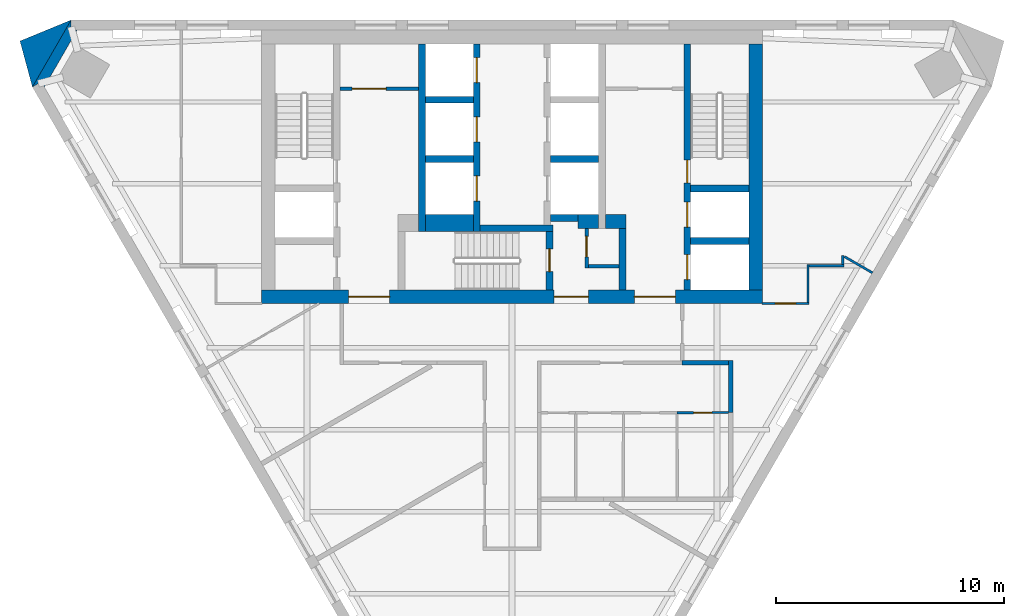
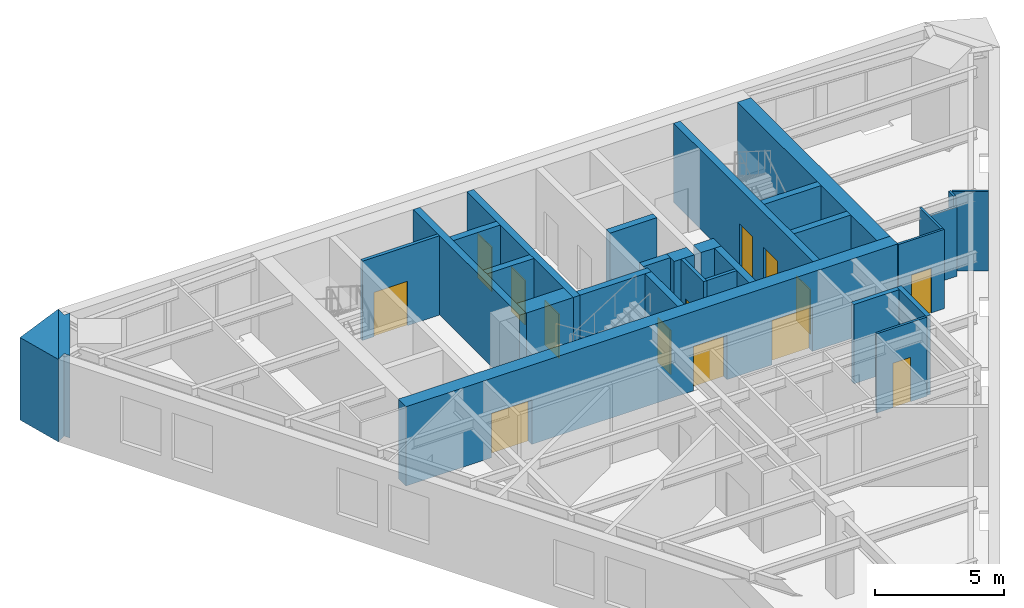
# One storey, part 4 of 7: 30 walls, 14 doors, 14 openings.
"""IFC4 building model written with IfcOpenShell, lengths in metres."""

import ifcopenshell
import ifcopenshell.guid

model = None  # the IFC model being written
_history = None  # IfcOwnerHistory: only IFC2X3 demands one
_inside = {}  # id of a spatial element -> (the spatial element, [elements in it])
_under = {}  # id of a project, library or spatial element -> (it, [spatial elements below it])
_declared = {}  # id of a project -> (the project, [libraries it declares])
_typed = {}  # id of a type object -> (the type object, [elements of that type])
_made_of = {}  # id of a material, layer set ... -> (it, [elements and type objects made of it])


def new_model(schema):
    """Start an empty IFC model of exactly this schema.

    Asked for "IFC4X3", IfcOpenShell would pick the latest addendum, in which some entities
    have other attributes; the version numbers below select the first issue.
    IFC2X3 requires an IfcOwnerHistory on every rooted entity: one is made here for all.
    """
    global model, _history
    if schema == "IFC4X3":
        model = ifcopenshell.file(schema_version=(4, 3, 0, 0))
    else:
        model = ifcopenshell.file(schema=schema)
    _inside.clear()
    _under.clear()
    _declared.clear()
    _typed.clear()
    _made_of.clear()
    _history = None
    if model.schema == "IFC2X3":
        org = make("IfcOrganization", Name="unknown")
        user = make(
            "IfcPersonAndOrganization",
            ThePerson=make("IfcPerson", FamilyName="unknown"),
            TheOrganization=org,
        )
        app = make(
            "IfcApplication",
            ApplicationDeveloper=org,
            Version="unknown",
            ApplicationFullName="unknown",
            ApplicationIdentifier="unknown",
        )
        _history = make(
            "IfcOwnerHistory",
            OwningUser=user,
            OwningApplication=app,
            ChangeAction="ADDED",
            CreationDate=0,
        )
    return model


def make(cls, **values):
    """One entity of the class cls with the attributes given. An attribute that is None is left unset."""
    return model.create_entity(
        cls, **{name: value for name, value in values.items() if value is not None}
    )


def rooted(cls, **values):
    """An entity with a GlobalId (a new one), such as an element, a storey or a relation."""
    return make(cls, GlobalId=ifcopenshell.guid.new(), OwnerHistory=_history, **values)


def si_unit(unit_type, name, prefix=None):
    """IfcSIUnit, for example si_unit("LENGTHUNIT", "METRE", prefix="MILLI")."""
    return make("IfcSIUnit", UnitType=unit_type, Prefix=prefix, Name=name)


def assignment(units):
    """IfcUnitAssignment: the units of a project."""
    return None if units is None else make("IfcUnitAssignment", Units=units)


def point(xyz):
    """IfcCartesianPoint."""
    return None if xyz is None else make("IfcCartesianPoint", Coordinates=xyz)


def direction(xyz):
    """IfcDirection."""
    return None if xyz is None else make("IfcDirection", DirectionRatios=xyz)


def frame(location, z_axis=None, x_axis=None):
    """IfcAxis2Placement3D, a coordinate frame: its origin and axes. An axis left out is left unset."""
    return make(
        "IfcAxis2Placement3D",
        Location=point(location),
        Axis=direction(z_axis),
        RefDirection=direction(x_axis),
    )


def frame_2d(location, x_axis=None):
    """IfcAxis2Placement2D, a coordinate frame in the plane: its origin and x axis."""
    return make(
        "IfcAxis2Placement2D", Location=point(location), RefDirection=direction(x_axis)
    )


def origin():
    """The frame at (0, 0, 0) with its axes left unset."""
    return frame((0.0, 0.0, 0.0))


def place(relative_to, where):
    """IfcLocalPlacement: puts the frame where relative to a parent placement (None: the world)."""
    return make(
        "IfcLocalPlacement", PlacementRelTo=relative_to, RelativePlacement=where
    )


def context(
    kind, dimensions, precision=None, world=None, true_north=None, identifier=None
):
    """IfcGeometricRepresentationContext, for example the 3D "Model" context."""
    return make(
        "IfcGeometricRepresentationContext",
        ContextIdentifier=identifier,
        ContextType=kind,
        CoordinateSpaceDimension=dimensions,
        Precision=precision,
        WorldCoordinateSystem=world,
        TrueNorth=true_north,
    )


def subcontext(parent, identifier, kind, view, scale=None):
    """IfcGeometricRepresentationSubContext, for example "Body" below "Model"."""
    return make(
        "IfcGeometricRepresentationSubContext",
        ContextIdentifier=identifier,
        ContextType=kind,
        ParentContext=parent,
        TargetScale=scale,
        TargetView=view,
    )


def project(units=None, contexts=None):
    """IfcProject with its units and contexts."""
    return rooted(
        "IfcProject",
        Name="project",
        RepresentationContexts=contexts,
        UnitsInContext=assignment(units),
    )


def spatial(cls, under=None, at=None, **own):
    """A site, building, storey or space (cls), placed at a placement, below another one or the project."""
    s = rooted(cls, ObjectPlacement=at, **own)
    if under is not None:
        _under.setdefault(under.id(), (under, []))[1].append(s)
    return s


def polyline(points):
    """IfcPolyline through the points."""
    return make("IfcPolyline", Points=[point(p) for p in points])


def profile(cls, at=None, kind="AREA", **sizes):
    """A parametric profile (cls). Its sizes go by their IFC names, for example OverallWidth=200.0."""
    return make(cls, ProfileType=kind, Position=at, **sizes)


def rectangle(**sizes):
    """IfcRectangleProfileDef."""
    return profile("IfcRectangleProfileDef", **sizes)


def outline(outer, holes=None, kind="AREA"):
    """IfcArbitraryClosedProfileDef: a profile drawn as a closed curve; with holes, ...WithVoids."""
    if holes is None:
        return make("IfcArbitraryClosedProfileDef", ProfileType=kind, OuterCurve=outer)
    return make(
        "IfcArbitraryProfileDefWithVoids",
        ProfileType=kind,
        OuterCurve=outer,
        InnerCurves=holes,
    )


def extrude(swept, where, along, depth):
    """IfcExtrudedAreaSolid: the profile swept, set in the frame where, extruded along a direction by depth."""
    return make(
        "IfcExtrudedAreaSolid",
        SweptArea=swept,
        Position=where,
        ExtrudedDirection=direction(along),
        Depth=depth,
    )


def shape(context_of_items, identifier, shape_type, items):
    """IfcShapeRepresentation: the items that make up one representation, for example the "Body"."""
    return make(
        "IfcShapeRepresentation",
        ContextOfItems=context_of_items,
        RepresentationIdentifier=identifier,
        RepresentationType=shape_type,
        Items=items,
    )


def material(Name=None, Category=None):
    """IfcMaterial."""
    return make("IfcMaterial", Name=Name, Category=Category)


def layer(
    of_material, thickness, ventilated=None, Name=None, Category=None, Priority=None
):
    """IfcMaterialLayer: one layer of a wall or slab, of a material (None: an air gap)."""
    return make(
        "IfcMaterialLayer",
        Material=of_material,
        LayerThickness=thickness,
        IsVentilated=ventilated,
        Name=Name,
        Category=Category,
        Priority=Priority,
    )


def layer_set(layers, Name=None):
    """IfcMaterialLayerSet."""
    return make("IfcMaterialLayerSet", MaterialLayers=layers, LayerSetName=Name)


def made_of(thing, what):
    """Note that an element or type object is made of a material, layer set ...; save() writes the relation."""
    if what is not None:
        _made_of.setdefault(what.id(), (what, []))[1].append(thing)
    return thing


def type_object(cls, material=None, **own):
    """A type object (cls), such as IfcWallType, which elements share."""
    return made_of(rooted(cls, **own), material)


def element(
    cls,
    number,
    at=None,
    inside=None,
    cuts=None,
    type_object=None,
    material=None,
    context=None,
    identifier="Body",
    shape_type=None,
    held_by="IfcProductDefinitionShape",
    body=None,
    shapes=None,
    **own,
):
    """One element of the class cls, such as IfcWall. Its Tag is "e" and its number.

    at: its placement. inside: the storey or other place that contains it. cuts: it is an
    opening in that element (IfcRelVoidsElement). A single representation is given by context,
    identifier, shape_type and body (its items); several are given by shapes. held_by: the class
    of the entity that holds the representations. save() writes the other relations.
    """
    e = rooted(cls, Tag="e%d" % number, ObjectPlacement=at, **own)
    if body is not None:
        shapes = [shape(context, identifier, shape_type, body)]
    if shapes is not None:
        e.Representation = make(held_by, Representations=shapes)
    if inside is not None:
        _inside.setdefault(inside.id(), (inside, []))[1].append(e)
    if cuts is not None:
        rooted(
            "IfcRelVoidsElement", RelatingBuildingElement=cuts, RelatedOpeningElement=e
        )
    if type_object is not None:
        _typed.setdefault(type_object.id(), (type_object, []))[1].append(e)
    return made_of(e, material)


def fill(opening, filler):
    """IfcRelFillsElement: the door or window that sits in an opening."""
    return rooted(
        "IfcRelFillsElement",
        RelatingOpeningElement=opening,
        RelatedBuildingElement=filler,
    )


def aggregate(whole, parts):
    """IfcRelAggregates: a whole, such as a stair, and the parts it consists of."""
    return rooted("IfcRelAggregates", RelatingObject=whole, RelatedObjects=parts)


def save(model, path):
    """Write the relations noted so far, then the file.

    IfcRelAggregates (storeys below a building ...), IfcRelContainedInSpatialStructure (elements
    in a storey), IfcRelDefinesByType, IfcRelAssociatesMaterial and IfcRelDeclares: one each for
    every whole, place, type object, material and project.
    """
    for whole, parts in _under.values():
        aggregate(whole, parts)
    for where, things in _inside.values():
        rooted(
            "IfcRelContainedInSpatialStructure",
            RelatedElements=things,
            RelatingStructure=where,
        )
    for kind, things in _typed.values():
        rooted("IfcRelDefinesByType", RelatedObjects=things, RelatingType=kind)
    for what, things in _made_of.values():
        rooted("IfcRelAssociatesMaterial", RelatedObjects=things, RelatingMaterial=what)
    for by, libraries in _declared.values():
        rooted("IfcRelDeclares", RelatingContext=by, RelatedDefinitions=libraries)
    model.write(path)


model = new_model("IFC4")

# Units and contexts
model_context = context("Model", 3, precision=1e-05, world=origin(), true_north=direction((0.0, 1.0)))
body_context = subcontext(model_context, "Body", "Model", "MODEL_VIEW")
ifc_project = project(units=[si_unit("LENGTHUNIT", "METRE"), si_unit("AREAUNIT", "SQUARE_METRE"), si_unit("VOLUMEUNIT", "CUBIC_METRE"), si_unit("PLANEANGLEUNIT", "RADIAN"), si_unit("MASSUNIT", "GRAM", prefix="KILO")], contexts=[model_context])

# Site, building, storey
site_placement = place(None, origin())
site = spatial("IfcSite", under=ifc_project, at=site_placement, CompositionType="ELEMENT")
building_placement = place(site_placement, origin())
building = spatial("IfcBuilding", under=site, at=building_placement, Name="Aloe Facet Convention Tower", CompositionType="ELEMENT")
storey_placement = place(building_placement, frame((0.0, 0.0, 207.5)))
storey = spatial("IfcBuildingStorey", under=building, at=storey_placement, Name="L52", CompositionType="ELEMENT", Elevation=207.5)

# Wall, opening, door
ifc_material_1 = material(Name="Concrete blockwork partition", Category="masonry")
ifc_layer_1 = layer(ifc_material_1, 0.14990234375)
ifc_layer_set_1 = layer_set([ifc_layer_1], Name="CR-W-PART150")
wall_type_1 = type_object("IfcWallType", Name="CR-W-PART150", PredefinedType="PARTITIONING", material=ifc_layer_set_1)
wall_1_placement = place(storey_placement, frame((72.449951171875, 131.97509765625, 0.0), z_axis=(0.0, 0.0, 1.0), x_axis=(1.0, 0.0, 0.0)))
wall_1 = element("IfcWall", 1, at=wall_1_placement, inside=storey, type_object=wall_type_1, Name="Core partition L52-007", PredefinedType="PARTITIONING", context=body_context, shape_type="SweptSolid", body=[
    extrude(rectangle(XDim=3.449951171875, YDim=0.14990234375, at=frame_2d((1.72509765625, 0.0))), origin(), (0.0, 0.0, 1.0), 3.75),
])
opening_1_placement = place(wall_1_placement, frame((0.52490234375, 0.0, 0.0)))
opening_1 = element("IfcOpeningElement", 2, at=opening_1_placement, cuts=wall_1, Name="Opening L52-CD14", PredefinedType="OPENING", context=body_context, shape_type="SweptSolid", body=[
    extrude(rectangle(XDim=1.5, YDim=2.10009765625, at=frame_2d((0.75, 1.050048828125))), frame((0.0, 0.0849609375, 0.0), z_axis=(0.0, -1.0, 0.0), x_axis=(1.0, 0.0, 0.0)), (0.0, 0.0, 1.0), 0.169921875),
])
ifc_material_2 = material(Name="Steel fire-resisting door set FD60", Category="steel")
door_type_1 = type_object("IfcDoorType", Name="CR-D-REFUGE-1500-FD60-DD", OperationType="DOUBLE_DOOR_DOUBLE_SWING", PredefinedType="DOOR", material=ifc_material_2)
door_1_placement = place(opening_1_placement, origin())
door_1 = element("IfcDoor", 3, at=door_1_placement, inside=storey, type_object=door_type_1, Name="Core door L52-CD14", OperationType="DOUBLE_DOOR_DOUBLE_SWING", OverallHeight=2.10009765625, OverallWidth=1.5, PredefinedType="DOOR", context=body_context, shape_type="SweptSolid", body=[
    extrude(rectangle(XDim=1.5, YDim=2.10009765625, at=frame_2d((0.75, 1.050048828125))), frame((0.0, 0.02490234375, 0.0), z_axis=(0.0, -1.0, 0.0), x_axis=(1.0, 0.0, 0.0)), (0.0, 0.0, 1.0), 0.050048828125),
])
fill(opening_1, door_1)

wall_2_placement = place(storey_placement, frame((83.27490234375, 125.85009765625, 0.0), z_axis=(0.0, 0.0, 1.0), x_axis=(0.0, -1.0, 0.0)))
wall_2 = element("IfcWall", 4, at=wall_2_placement, inside=storey, type_object=wall_type_1, Name="Core partition L52-022", PredefinedType="PARTITIONING", context=body_context, shape_type="SweptSolid", body=[
    extrude(rectangle(XDim=1.75, YDim=0.14990234375, at=frame_2d((0.875, 0.0))), origin(), (0.0, 0.0, 1.0), 3.75),
])
opening_2_placement = place(wall_2_placement, frame((0.35009765625, 0.0, 0.0)))
opening_2 = element("IfcOpeningElement", 5, at=opening_2_placement, cuts=wall_2, Name="Opening L52-CD12", PredefinedType="OPENING", context=body_context, shape_type="SweptSolid", body=[
    extrude(rectangle(XDim=0.89990234375, YDim=2.10009765625, at=frame_2d((0.449951171875, 1.050048828125))), frame((0.0, 0.0849609375, 0.0), z_axis=(0.0, -1.0, 0.0), x_axis=(1.0, 0.0, 0.0)), (0.0, 0.0, 1.0), 0.169921875),
])
ifc_material_3 = material(Name="Steel fire-resisting door set FD60", Category="steel")
door_type_2 = type_object("IfcDoorType", Name="CR-D-REFUGE-900-FD60-SRIGHT", OperationType="SINGLE_SWING_RIGHT", PredefinedType="DOOR", material=ifc_material_3)
door_2_placement = place(opening_2_placement, origin())
door_2 = element("IfcDoor", 6, at=door_2_placement, inside=storey, type_object=door_type_2, Name="Core door L52-CD12", OperationType="SINGLE_SWING_RIGHT", OverallHeight=2.10009765625, OverallWidth=0.89990234375, PredefinedType="DOOR", context=body_context, shape_type="SweptSolid", body=[
    extrude(rectangle(XDim=0.89990234375, YDim=2.10009765625, at=frame_2d((0.449951171875, 1.050048828125))), frame((0.0, 0.02490234375, 0.0), z_axis=(0.0, -1.0, 0.0), x_axis=(1.0, 0.0, 0.0)), (0.0, 0.0, 1.0), 0.050048828125),
])
fill(opening_2, door_2)

# Walls
wall_3_placement = place(storey_placement, frame((83.35009765625, 124.175048828125, 0.0), z_axis=(0.0, 0.0, 1.0), x_axis=(1.0, 0.0, 0.0)))
element("IfcWall", 7, at=wall_3_placement, inside=storey, type_object=wall_type_1, Name="Core partition L52-023", PredefinedType="PARTITIONING", context=body_context, shape_type="SweptSolid", body=[
    extrude(rectangle(XDim=1.349853515625, YDim=0.14990234375, at=frame_2d((0.6748046875, 0.0))), origin(), (0.0, 0.0, 1.0), 3.75),
])
ifc_material_4 = material(Name="Concrete C50/60", Category="concrete")
ifc_layer_2 = layer(ifc_material_4, 0.300048828125)
ifc_layer_set_2 = layer_set([ifc_layer_2], Name="CR-W-RC300-C5060")
wall_type_2 = type_object("IfcWallType", Name="CR-W-RC300-C5060", PredefinedType="SOLIDWALL", material=ifc_layer_set_2)
wall_4_placement = place(storey_placement, frame((76.050048828125, 133.949951171875, 0.0), z_axis=(0.0, 0.0, 1.0), x_axis=(0.0, -1.0, 0.0)))
element("IfcWall", 8, at=wall_4_placement, inside=storey, type_object=wall_type_2, Name="Core wall L52-010", PredefinedType="SOLIDWALL", context=body_context, shape_type="SweptSolid", body=[
    extrude(rectangle(XDim=8.25, YDim=0.300048828125, at=frame_2d((4.125, 0.0))), origin(), (0.0, 0.0, 1.0), 3.75),
])
for number, where, z_axis, x_axis, name in (
    (9, (76.199951171875, 131.5, 0.0), (0.0, 0.0, 1.0), (1.0, 0.0, 0.0), "Core wall L52-011"),
    (10, (76.199951171875, 128.89990234375, 0.0), (0.0, 0.0, 1.0), (1.0, 0.0, 0.0), "Core wall L52-012"),
):
    element("IfcWall", number, at=place(storey_placement, frame(where, z_axis=z_axis, x_axis=x_axis)), inside=storey, type_object=wall_type_2, Name=name, PredefinedType="SOLIDWALL", context=body_context, shape_type="SweptSolid", body=[
        extrude(rectangle(XDim=2.10009765625, YDim=0.300048828125, at=frame_2d((1.050048828125, 0.0))), origin(), (0.0, 0.0, 1.0), 3.75),
    ])

# Wall, openings, doors
wall_5_placement = place(storey_placement, frame((78.449951171875, 133.949951171875, 0.0), z_axis=(0.0, 0.0, 1.0), x_axis=(0.0, -1.0, 0.0)))
wall_5 = element("IfcWall", 11, at=wall_5_placement, inside=storey, type_object=wall_type_2, Name="Core wall L52-014", PredefinedType="SOLIDWALL", context=body_context, shape_type="SweptSolid", body=[
    extrude(rectangle(XDim=8.25, YDim=0.300048828125, at=frame_2d((4.125, 0.0))), origin(), (0.0, 0.0, 1.0), 3.75),
])
opening_3_placement = place(wall_5_placement, frame((0.60009765625, 0.0, 0.0)))
opening_3 = element("IfcOpeningElement", 12, at=opening_3_placement, cuts=wall_5, Name="Opening LD-B1-L52", PredefinedType="OPENING", context=body_context, shape_type="SweptSolid", body=[
    extrude(rectangle(XDim=1.10009765625, YDim=2.10009765625, at=frame_2d((0.550048828125, 1.050048828125))), frame((0.0, 0.16015625, 0.0), z_axis=(0.0, -1.0, 0.0), x_axis=(1.0, 0.0, 0.0)), (0.0, 0.0, 1.0), 0.320068359375),
])
opening_4_placement = place(wall_5_placement, frame((3.199951171875, 0.0, 0.0)))
opening_4 = element("IfcOpeningElement", 13, at=opening_4_placement, cuts=wall_5, Name="Opening LD-B2-L52", PredefinedType="OPENING", context=body_context, shape_type="SweptSolid", body=[
    extrude(rectangle(XDim=1.10009765625, YDim=2.10009765625, at=frame_2d((0.550048828125, 1.050048828125))), frame((0.0, 0.16015625, 0.0), z_axis=(0.0, -1.0, 0.0), x_axis=(1.0, 0.0, 0.0)), (0.0, 0.0, 1.0), 0.320068359375),
])
opening_5_placement = place(wall_5_placement, frame((5.800048828125, 0.0, 0.0)))
opening_5 = element("IfcOpeningElement", 14, at=opening_5_placement, cuts=wall_5, Name="Opening LD-B3-L52", PredefinedType="OPENING", context=body_context, shape_type="SweptSolid", body=[
    extrude(rectangle(XDim=1.10009765625, YDim=2.10009765625, at=frame_2d((0.550048828125, 1.050048828125))), frame((0.0, 0.16015625, 0.0), z_axis=(0.0, -1.0, 0.0), x_axis=(1.0, 0.0, 0.0)), (0.0, 0.0, 1.0), 0.320068359375),
])
ifc_material_5 = material(Name="Stainless steel sliding landing door", Category="steel")
door_type_3 = type_object("IfcDoorType", Name="CR-LD-1100-FD60-RIGHT", OperationType="SLIDING_TO_RIGHT", PredefinedType="DOOR", material=ifc_material_5)
door_3_placement = place(opening_3_placement, origin())
door_3 = element("IfcDoor", 15, at=door_3_placement, inside=storey, type_object=door_type_3, Name="Landing door B1 L52", OperationType="SLIDING_TO_RIGHT", OverallHeight=2.10009765625, OverallWidth=1.10009765625, PredefinedType="DOOR", context=body_context, shape_type="SweptSolid", body=[
    extrude(rectangle(XDim=1.10009765625, YDim=2.10009765625, at=frame_2d((0.550048828125, 1.050048828125))), frame((0.0, 0.02490234375, 0.0), z_axis=(0.0, -1.0, 0.0), x_axis=(1.0, 0.0, 0.0)), (0.0, 0.0, 1.0), 0.050048828125),
])
fill(opening_3, door_3)
door_4_placement = place(opening_4_placement, origin())
door_4 = element("IfcDoor", 16, at=door_4_placement, inside=storey, type_object=door_type_3, Name="Landing door B2 L52", OperationType="SLIDING_TO_RIGHT", OverallHeight=2.10009765625, OverallWidth=1.10009765625, PredefinedType="DOOR", context=body_context, shape_type="SweptSolid", body=[
    extrude(rectangle(XDim=1.10009765625, YDim=2.10009765625, at=frame_2d((0.550048828125, 1.050048828125))), frame((0.0, 0.02490234375, 0.0), z_axis=(0.0, -1.0, 0.0), x_axis=(1.0, 0.0, 0.0)), (0.0, 0.0, 1.0), 0.050048828125),
])
fill(opening_4, door_4)
door_5_placement = place(opening_5_placement, origin())
door_5 = element("IfcDoor", 17, at=door_5_placement, inside=storey, type_object=door_type_3, Name="Landing door B3 L52", OperationType="SLIDING_TO_RIGHT", OverallHeight=2.10009765625, OverallWidth=1.10009765625, PredefinedType="DOOR", context=body_context, shape_type="SweptSolid", body=[
    extrude(rectangle(XDim=1.10009765625, YDim=2.10009765625, at=frame_2d((0.550048828125, 1.050048828125))), frame((0.0, 0.02490234375, 0.0), z_axis=(0.0, -1.0, 0.0), x_axis=(1.0, 0.0, 0.0)), (0.0, 0.0, 1.0), 0.050048828125),
])
fill(opening_5, door_5)

# Wall
wall_6_placement = place(storey_placement, frame((78.60009765625, 125.85009765625, 0.0), z_axis=(0.0, 0.0, 1.0), x_axis=(1.0, 0.0, 0.0)))
element("IfcWall", 18, at=wall_6_placement, inside=storey, type_object=wall_type_2, Name="Core wall L52-015", PredefinedType="SOLIDWALL", context=body_context, shape_type="SweptSolid", body=[
    extrude(rectangle(XDim=3.199951171875, YDim=0.300048828125, at=frame_2d((1.60009765625, 0.0))), origin(), (0.0, 0.0, 1.0), 3.75),
])

# Wall, opening, door
wall_7_placement = place(storey_placement, frame((81.64990234375, 125.699951171875, 0.0), z_axis=(0.0, 0.0, 1.0), x_axis=(0.0, -1.0, 0.0)))
wall_7 = element("IfcWall", 19, at=wall_7_placement, inside=storey, type_object=wall_type_2, Name="Core wall L52-017", PredefinedType="SOLIDWALL", context=body_context, shape_type="SweptSolid", body=[
    extrude(rectangle(XDim=2.550048828125, YDim=0.300048828125, at=frame_2d((1.27490234375, 0.0))), origin(), (0.0, 0.0, 1.0), 3.75),
])
opening_6_placement = place(wall_7_placement, frame((0.75, 0.0, 0.0)))
opening_6 = element("IfcOpeningElement", 20, at=opening_6_placement, cuts=wall_7, Name="Opening L52-CD18", PredefinedType="OPENING", context=body_context, shape_type="SweptSolid", body=[
    extrude(rectangle(XDim=1.0, YDim=2.10009765625, at=frame_2d((0.5, 1.050048828125))), frame((0.0, 0.16015625, 0.0), z_axis=(0.0, -1.0, 0.0), x_axis=(1.0, 0.0, 0.0)), (0.0, 0.0, 1.0), 0.320068359375),
])
ifc_material_6 = material(Name="Steel fire-resisting door set FD120", Category="steel")
door_type_4 = type_object("IfcDoorType", Name="CR-D-STAIR-1000-FD120-SLEFT", OperationType="SINGLE_SWING_LEFT", PredefinedType="DOOR", material=ifc_material_6)
door_6_placement = place(opening_6_placement, origin())
door_6 = element("IfcDoor", 21, at=door_6_placement, inside=storey, type_object=door_type_4, Name="Core door L52-CD18", OperationType="SINGLE_SWING_LEFT", OverallHeight=2.10009765625, OverallWidth=1.0, PredefinedType="DOOR", context=body_context, shape_type="SweptSolid", body=[
    extrude(rectangle(XDim=1.0, YDim=2.10009765625, at=frame_2d((0.5, 1.050048828125))), frame((0.0, 0.02490234375, 0.0), z_axis=(0.0, -1.0, 0.0), x_axis=(1.0, 0.0, 0.0)), (0.0, 0.0, 1.0), 0.050048828125),
])
fill(opening_6, door_6)

# Walls
wall_8_placement = place(storey_placement, frame((81.699951171875, 128.89990234375, 0.0), z_axis=(0.0, 0.0, 1.0), x_axis=(1.0, 0.0, 0.0)))
element("IfcWall", 22, at=wall_8_placement, inside=storey, type_object=wall_type_2, Name="Core wall L52-019", PredefinedType="SOLIDWALL", context=body_context, shape_type="SweptSolid", body=[
    extrude(rectangle(XDim=2.10009765625, YDim=0.300048828125, at=frame_2d((1.050048828125, 0.0))), origin(), (0.0, 0.0, 1.0), 3.75),
])
wall_9_placement = place(storey_placement, frame((81.699951171875, 126.300048828125, 0.0), z_axis=(0.0, 0.0, 1.0), x_axis=(1.0, 0.0, 0.0)))
element("IfcWall", 23, at=wall_9_placement, inside=storey, type_object=wall_type_2, Name="Core wall L52-020", PredefinedType="SOLIDWALL", context=body_context, shape_type="SweptSolid", body=[
    extrude(rectangle(XDim=1.199951171875, YDim=0.300048828125, at=frame_2d((0.60009765625, 0.0))), origin(), (0.0, 0.0, 1.0), 3.75),
])
wall_10_placement = place(storey_placement, frame((84.85009765625, 125.85009765625, 0.0), z_axis=(0.0, 0.0, 1.0), x_axis=(0.0, -1.0, 0.0)))
element("IfcWall", 24, at=wall_10_placement, inside=storey, type_object=wall_type_2, Name="Core wall L52-027", PredefinedType="SOLIDWALL", context=body_context, shape_type="SweptSolid", body=[
    extrude(rectangle(XDim=2.7001953125, YDim=0.300048828125, at=frame_2d((1.35009765625, 0.0))), origin(), (0.0, 0.0, 1.0), 3.75),
])

# Wall, openings, doors
wall_11_placement = place(storey_placement, frame((87.699951171875, 133.949951171875, 0.0), z_axis=(0.0, 0.0, 1.0), x_axis=(0.0, -1.0, 0.0)))
wall_11 = element("IfcWall", 25, at=wall_11_placement, inside=storey, type_object=wall_type_2, Name="Core wall L52-028", PredefinedType="SOLIDWALL", context=body_context, shape_type="SweptSolid", body=[
    extrude(rectangle(XDim=10.800048828125, YDim=0.300048828125, at=frame_2d((5.39990234375, 0.0))), origin(), (0.0, 0.0, 1.0), 3.75),
])
opening_7_placement = place(wall_11_placement, frame((6.949951171875, 0.0, 0.0)))
opening_7 = element("IfcOpeningElement", 26, at=opening_7_placement, cuts=wall_11, Name="Opening LD-FF2-L52", PredefinedType="OPENING", context=body_context, shape_type="SweptSolid", body=[
    extrude(rectangle(XDim=1.10009765625, YDim=2.10009765625, at=frame_2d((0.550048828125, 1.050048828125))), frame((0.0, 0.16015625, 0.0), z_axis=(0.0, -1.0, 0.0), x_axis=(1.0, 0.0, 0.0)), (0.0, 0.0, 1.0), 0.320068359375),
])
opening_8_placement = place(wall_11_placement, frame((5.10009765625, 0.0, 0.0)))
opening_8 = element("IfcOpeningElement", 27, at=opening_8_placement, cuts=wall_11, Name="Opening L52-CD17", PredefinedType="OPENING", context=body_context, shape_type="SweptSolid", body=[
    extrude(rectangle(XDim=1.0, YDim=2.10009765625, at=frame_2d((0.5, 1.050048828125))), frame((0.0, 0.16015625, 0.0), z_axis=(0.0, -1.0, 0.0), x_axis=(1.0, 0.0, 0.0)), (0.0, 0.0, 1.0), 0.320068359375),
])
opening_9_placement = place(wall_11_placement, frame((9.25, 0.0, 0.0)))
opening_9 = element("IfcOpeningElement", 28, at=opening_9_placement, cuts=wall_11, Name="Opening LD-SV1-L52", PredefinedType="OPENING", context=body_context, shape_type="SweptSolid", body=[
    extrude(rectangle(XDim=1.10009765625, YDim=2.10009765625, at=frame_2d((0.550048828125, 1.050048828125))), frame((0.0, 0.16015625, 0.0), z_axis=(0.0, -1.0, 0.0), x_axis=(1.0, 0.0, 0.0)), (0.0, 0.0, 1.0), 0.320068359375),
])
door_7_placement = place(opening_8_placement, origin())
door_7 = element("IfcDoor", 29, at=door_7_placement, inside=storey, type_object=door_type_4, Name="Core door L52-CD17", OperationType="SINGLE_SWING_LEFT", OverallHeight=2.10009765625, OverallWidth=1.0, PredefinedType="DOOR", context=body_context, shape_type="SweptSolid", body=[
    extrude(rectangle(XDim=1.0, YDim=2.10009765625, at=frame_2d((0.5, 1.050048828125))), frame((0.0, 0.02490234375, 0.0), z_axis=(0.0, -1.0, 0.0), x_axis=(1.0, 0.0, 0.0)), (0.0, 0.0, 1.0), 0.050048828125),
])
fill(opening_8, door_7)
ifc_material_7 = material(Name="Stainless steel sliding landing door", Category="steel")
door_type_5 = type_object("IfcDoorType", Name="CR-LD-1100-FD120-_LEFT", OperationType="SLIDING_TO_LEFT", PredefinedType="DOOR", material=ifc_material_7)
door_8_placement = place(opening_7_placement, origin())
door_8 = element("IfcDoor", 30, at=door_8_placement, inside=storey, type_object=door_type_5, Name="Landing door FF2 L52", OperationType="SLIDING_TO_LEFT", OverallHeight=2.10009765625, OverallWidth=1.10009765625, PredefinedType="DOOR", context=body_context, shape_type="SweptSolid", body=[
    extrude(rectangle(XDim=1.10009765625, YDim=2.10009765625, at=frame_2d((0.550048828125, 1.050048828125))), frame((0.0, 0.02490234375, 0.0), z_axis=(0.0, -1.0, 0.0), x_axis=(1.0, 0.0, 0.0)), (0.0, 0.0, 1.0), 0.050048828125),
])
fill(opening_7, door_8)
door_9_placement = place(opening_9_placement, origin())
door_9 = element("IfcDoor", 31, at=door_9_placement, inside=storey, type_object=door_type_5, Name="Landing door SV1 L52", OperationType="SLIDING_TO_LEFT", OverallHeight=2.10009765625, OverallWidth=1.10009765625, PredefinedType="DOOR", context=body_context, shape_type="SweptSolid", body=[
    extrude(rectangle(XDim=1.10009765625, YDim=2.10009765625, at=frame_2d((0.550048828125, 1.050048828125))), frame((0.0, 0.02490234375, 0.0), z_axis=(0.0, -1.0, 0.0), x_axis=(1.0, 0.0, 0.0)), (0.0, 0.0, 1.0), 0.050048828125),
])
fill(opening_9, door_9)

# Walls
for number, where, z_axis, x_axis, name in (
    (32, (87.85009765625, 127.60009765625, 0.0), (0.0, 0.0, 1.0), (1.0, 0.0, 0.0), "Core wall L52-029"),
    (33, (87.85009765625, 125.300048828125, 0.0), (0.0, 0.0, 1.0), (1.0, 0.0, 0.0), "Core wall L52-030"),
):
    element("IfcWall", number, at=place(storey_placement, frame(where, z_axis=z_axis, x_axis=x_axis)), inside=storey, type_object=wall_type_2, Name=name, PredefinedType="SOLIDWALL", context=body_context, shape_type="SweptSolid", body=[
        extrude(rectangle(XDim=2.5498046875, YDim=0.300048828125, at=frame_2d((1.27490234375, 0.0))), origin(), (0.0, 0.0, 1.0), 3.75),
    ])

# Wall, openings, doors
ifc_material_8 = material(Name="Concrete C50/60", Category="concrete")
ifc_layer_3 = layer(ifc_material_8, 0.60009765625)
ifc_layer_set_3 = layer_set([ifc_layer_3], Name="CR-W-RC600-C5060")
wall_type_3 = type_object("IfcWallType", Name="CR-W-RC600-C5060", PredefinedType="SOLIDWALL", material=ifc_layer_set_3)
wall_12_placement = place(storey_placement, frame((69.0, 122.85009765625, 0.0), z_axis=(0.0, 0.0, 1.0), x_axis=(1.0, 0.0, 0.0)))
wall_12 = element("IfcWall", 34, at=wall_12_placement, inside=storey, type_object=wall_type_3, Name="Core wall L52-003", PredefinedType="SOLIDWALL", context=body_context, shape_type="SweptSolid", body=[
    extrude(rectangle(XDim=22.0, YDim=0.60009765625, at=frame_2d((11.0, 0.0))), origin(), (0.0, 0.0, 1.0), 3.75),
])
opening_10_placement = place(wall_12_placement, frame((16.375, 0.0, 0.0)))
opening_10 = element("IfcOpeningElement", 35, at=opening_10_placement, cuts=wall_12, Name="Opening L52-CD09", PredefinedType="OPENING", context=body_context, shape_type="SweptSolid", body=[
    extrude(rectangle(XDim=1.800048828125, YDim=2.10009765625, at=frame_2d((0.89990234375, 1.050048828125))), frame((0.0, 0.31005859375, 0.0), z_axis=(0.0, -1.0, 0.0), x_axis=(1.0, 0.0, 0.0)), (0.0, 0.0, 1.0), 0.6201171875),
])
opening_11_placement = place(wall_12_placement, frame((3.824951171875, 0.0, 0.0)))
opening_11 = element("IfcOpeningElement", 36, at=opening_11_placement, cuts=wall_12, Name="Opening L52-CD10", PredefinedType="OPENING", context=body_context, shape_type="SweptSolid", body=[
    extrude(rectangle(XDim=1.800048828125, YDim=2.10009765625, at=frame_2d((0.89990234375, 1.050048828125))), frame((0.0, 0.31005859375, 0.0), z_axis=(0.0, -1.0, 0.0), x_axis=(1.0, 0.0, 0.0)), (0.0, 0.0, 1.0), 0.6201171875),
])
opening_12_placement = place(wall_12_placement, frame((12.85009765625, 0.0, 0.0)))
opening_12 = element("IfcOpeningElement", 37, at=opening_12_placement, cuts=wall_12, Name="Opening L52-CD11", PredefinedType="OPENING", context=body_context, shape_type="SweptSolid", body=[
    extrude(rectangle(XDim=1.5, YDim=2.10009765625, at=frame_2d((0.75, 1.050048828125))), frame((0.0, 0.31005859375, 0.0), z_axis=(0.0, -1.0, 0.0), x_axis=(1.0, 0.0, 0.0)), (0.0, 0.0, 1.0), 0.6201171875),
])
ifc_material_9 = material(Name="Steel fire-resisting door set FD60", Category="steel")
door_type_6 = type_object("IfcDoorType", Name="CR-D-EXIT-1500-FD60-DD", OperationType="DOUBLE_DOOR_DOUBLE_SWING", PredefinedType="DOOR", material=ifc_material_9)
door_10_placement = place(opening_12_placement, origin())
door_10 = element("IfcDoor", 38, at=door_10_placement, inside=storey, type_object=door_type_6, Name="Core door L52-CD11", OperationType="DOUBLE_DOOR_DOUBLE_SWING", OverallHeight=2.10009765625, OverallWidth=1.5, PredefinedType="DOOR", context=body_context, shape_type="SweptSolid", body=[
    extrude(rectangle(XDim=1.5, YDim=2.10009765625, at=frame_2d((0.75, 1.050048828125))), frame((0.0, 0.02490234375, 0.0), z_axis=(0.0, -1.0, 0.0), x_axis=(1.0, 0.0, 0.0)), (0.0, 0.0, 1.0), 0.050048828125),
])
fill(opening_12, door_10)
ifc_material_10 = material(Name="Steel fire-resisting door set FD120", Category="steel")
door_type_7 = type_object("IfcDoorType", Name="CR-D-EXIT-1800-FD120-DD", OperationType="DOUBLE_DOOR_DOUBLE_SWING", PredefinedType="DOOR", material=ifc_material_10)
door_11_placement = place(opening_10_placement, origin())
door_11 = element("IfcDoor", 39, at=door_11_placement, inside=storey, type_object=door_type_7, Name="Core door L52-CD09", OperationType="DOUBLE_DOOR_DOUBLE_SWING", OverallHeight=2.10009765625, OverallWidth=1.800048828125, PredefinedType="DOOR", context=body_context, shape_type="SweptSolid", body=[
    extrude(rectangle(XDim=1.800048828125, YDim=2.10009765625, at=frame_2d((0.89990234375, 1.050048828125))), frame((0.0, 0.02490234375, 0.0), z_axis=(0.0, -1.0, 0.0), x_axis=(1.0, 0.0, 0.0)), (0.0, 0.0, 1.0), 0.050048828125),
])
fill(opening_10, door_11)
door_12_placement = place(opening_11_placement, origin())
door_12 = element("IfcDoor", 40, at=door_12_placement, inside=storey, type_object=door_type_7, Name="Core door L52-CD10", OperationType="DOUBLE_DOOR_DOUBLE_SWING", OverallHeight=2.10009765625, OverallWidth=1.800048828125, PredefinedType="DOOR", context=body_context, shape_type="SweptSolid", body=[
    extrude(rectangle(XDim=1.800048828125, YDim=2.10009765625, at=frame_2d((0.89990234375, 1.050048828125))), frame((0.0, 0.02490234375, 0.0), z_axis=(0.0, -1.0, 0.0), x_axis=(1.0, 0.0, 0.0)), (0.0, 0.0, 1.0), 0.050048828125),
])
fill(opening_11, door_12)

# Walls
wall_13_placement = place(storey_placement, frame((82.89990234375, 126.14990234375, 0.0), z_axis=(0.0, 0.0, 1.0), x_axis=(1.0, 0.0, 0.0)))
element("IfcWall", 41, at=wall_13_placement, inside=storey, type_object=wall_type_3, Name="Core wall L52-021", PredefinedType="SOLIDWALL", context=body_context, shape_type="SweptSolid", body=[
    extrude(rectangle(XDim=0.900146484375, YDim=0.60009765625, at=frame_2d((0.4501953125, 0.0))), origin(), (0.0, 0.0, 1.0), 3.75),
])
wall_14_placement = place(storey_placement, frame((84.10009765625, 126.14990234375, 0.0), z_axis=(0.0, 0.0, 1.0), x_axis=(1.0, 0.0, 0.0)))
element("IfcWall", 42, at=wall_14_placement, inside=storey, type_object=wall_type_3, Name="Core wall L52-026", PredefinedType="SOLIDWALL", context=body_context, shape_type="SweptSolid", body=[
    extrude(rectangle(XDim=0.89990234375, YDim=0.60009765625, at=frame_2d((0.449951171875, 0.0))), origin(), (0.0, 0.0, 1.0), 3.75),
])
wall_15_placement = place(storey_placement, frame((90.699951171875, 133.949951171875, 0.0), z_axis=(0.0, 0.0, 1.0), x_axis=(0.0, -1.0, 0.0)))
element("IfcWall", 43, at=wall_15_placement, inside=storey, type_object=wall_type_3, Name="Core wall L52-031", PredefinedType="SOLIDWALL", context=body_context, shape_type="SweptSolid", body=[
    extrude(rectangle(XDim=10.800048828125, YDim=0.60009765625, at=frame_2d((5.39990234375, 0.0))), origin(), (0.0, 0.0, 1.0), 3.75),
])
ifc_material_11 = material(Name="Concrete C50/60", Category="concrete")
ifc_layer_4 = layer(ifc_material_11, 0.75)
ifc_layer_set_4 = layer_set([ifc_layer_4], Name="CR-W-RC750-C5060")
wall_type_4 = type_object("IfcWallType", Name="CR-W-RC750-C5060", PredefinedType="SOLIDWALL", material=ifc_layer_set_4)
wall_16_placement = place(storey_placement, frame((76.199951171875, 126.074951171875, 0.0), z_axis=(0.0, 0.0, 1.0), x_axis=(1.0, 0.0, 0.0)))
element("IfcWall", 44, at=wall_16_placement, inside=storey, type_object=wall_type_4, Name="Core wall L52-013", PredefinedType="SOLIDWALL", context=body_context, shape_type="SweptSolid", body=[
    extrude(rectangle(XDim=2.10009765625, YDim=0.75, at=frame_2d((1.050048828125, 0.0))), origin(), (0.0, 0.0, 1.0), 3.75),
])
ifc_material_12 = material(Name="Precast concrete C40/50", Category="concrete")
ifc_layer_5 = layer(ifc_material_12, 0.449951171875)
ifc_layer_set_5 = layer_set([ifc_layer_5], Name="EV-WALL-PIER")
wall_type_5 = type_object("IfcWallType", Name="EV-WALL-PIER", PredefinedType="SOLIDWALL", material=ifc_layer_set_5)
wall_17_placement = place(storey_placement, frame((0.0, 0.0, -0.14990234375)))
element("IfcWall", 45, at=wall_17_placement, inside=storey, type_object=wall_type_5, Name="EP-L52-A", PredefinedType="SOLIDWALL", context=body_context, shape_type="SweptSolid", body=[
    extrude(outline(polyline([(60.635498046875, 135.0), (60.635498046875, 134.550048828125), (60.895263671875, 134.550048828125), (59.455078125, 132.055419921875), (59.3251953125, 132.280517578125), (58.935302734375, 132.055419921875), (60.635498046875, 135.0)])), origin(), (0.0, 0.0, 1.0), 3.89990234375),
])
ifc_material_13 = material(Name="Precast concrete C40/50", Category="concrete")
ifc_layer_6 = layer(ifc_material_13, 3.947998046875)
ifc_layer_set_6 = layer_set([ifc_layer_6], Name="EV-WALL-SPINE")
wall_type_6 = type_object("IfcWallType", Name="EV-WALL-SPINE", PredefinedType="SOLIDWALL", material=ifc_layer_set_6)
wall_18_placement = place(storey_placement, frame((0.0, 0.0, -0.14990234375)))
element("IfcWall", 46, at=wall_18_placement, inside=storey, type_object=wall_type_6, Name="SP-NW-L52", PredefinedType="SOLIDWALL", context=body_context, shape_type="SweptSolid", body=[
    extrude(outline(polyline([(60.635498046875, 135.0), (58.389892578125, 134.076171875), (58.935302734375, 132.055419921875), (60.635498046875, 135.0)])), origin(), (0.0, 0.0, 1.0), 3.89990234375),
])

# Wall, opening, door
ifc_material_14 = material(Name="Gypsum board partition on steel studs", Category="steel")
ifc_layer_7 = layer(ifc_material_14, 0.10009765625)
ifc_layer_set_7 = layer_set([ifc_layer_7], Name="IN-W-PART")
wall_type_7 = type_object("IfcWallType", Name="IN-W-PART", PredefinedType="PARTITIONING", material=ifc_layer_set_7)
wall_19_placement = place(storey_placement, frame((87.248046875, 117.75, 0.0), z_axis=(0.0, 0.0, 1.0), x_axis=(0.999991061702, 0.004228062815, 0.0)))
wall_19 = element("IfcWall", 47, at=wall_19_placement, inside=storey, type_object=wall_type_7, Name="Partition L52-W021", PredefinedType="PARTITIONING", context=body_context, shape_type="SweptSolid", body=[
    extrude(rectangle(XDim=2.251953125, YDim=0.10009765625, at=frame_2d((1.1259765625, 0.0))), origin(), (0.0, 0.0, 1.0), 3.75),
])
opening_13_placement = place(wall_19_placement, frame((0.72607421875, 0.0, 0.0)))
opening_13 = element("IfcOpeningElement", 48, at=opening_13_placement, cuts=wall_19, Name="Opening L52-005", PredefinedType="OPENING", context=body_context, shape_type="SweptSolid", body=[
    extrude(rectangle(XDim=0.800048828125, YDim=2.10009765625, at=frame_2d((0.39990234375, 1.050048828125))), frame((0.0, 0.06005859375, 0.0), z_axis=(0.0, -1.0, 0.0), x_axis=(1.0, 0.0, 0.0)), (0.0, 0.0, 1.0), 0.1201171875),
])
ifc_material_15 = material(Name="Timber door", Category="wood")
door_type_8 = type_object("IfcDoorType", Name="IN-OFF-D-WC", OperationType="SINGLE_SWING_LEFT", PredefinedType="DOOR", material=ifc_material_15)
door_13_placement = place(opening_13_placement, origin())
door_13 = element("IfcDoor", 49, at=door_13_placement, inside=storey, type_object=door_type_8, Name="Door L52-005", OperationType="SINGLE_SWING_LEFT", OverallHeight=2.10009765625, OverallWidth=0.800048828125, PredefinedType="DOOR", context=body_context, shape_type="SweptSolid", body=[
    extrude(rectangle(XDim=0.800048828125, YDim=2.10009765625, at=frame_2d((0.39990234375, 1.050048828125))), frame((0.0, 0.02490234375, 0.0), z_axis=(0.0, -1.0, 0.0), x_axis=(1.0, 0.0, 0.0)), (0.0, 0.0, 1.0), 0.050048828125),
])
fill(opening_13, door_13)

wall_20_placement = place(storey_placement, frame((90.990234375, 122.550048828125, 0.0), z_axis=(0.0, 0.0, 1.0), x_axis=(1.0, 0.0, 0.0)))
wall_20 = element("IfcWall", 50, at=wall_20_placement, inside=storey, type_object=wall_type_7, Name="Partition L52-W032", PredefinedType="PARTITIONING", context=body_context, shape_type="SweptSolid", body=[
    extrude(rectangle(XDim=2.057861328125, YDim=0.10009765625, at=frame_2d((1.02880859375, 0.0))), origin(), (0.0, 0.0, 1.0), 3.75),
])
opening_14_placement = place(wall_20_placement, frame((0.578857421875, 0.0, 0.0)))
opening_14 = element("IfcOpeningElement", 51, at=opening_14_placement, cuts=wall_20, Name="Opening L52-006", PredefinedType="OPENING", context=body_context, shape_type="SweptSolid", body=[
    extrude(rectangle(XDim=0.89990234375, YDim=2.10009765625, at=frame_2d((0.449951171875, 1.050048828125))), frame((0.0, 0.06005859375, 0.0), z_axis=(0.0, -1.0, 0.0), x_axis=(1.0, 0.0, 0.0)), (0.0, 0.0, 1.0), 0.1201171875),
])
ifc_material_16 = material(Name="Timber door", Category="wood")
door_type_9 = type_object("IfcDoorType", Name="IN-OFF-D-ROOM", OperationType="SINGLE_SWING_LEFT", PredefinedType="DOOR", material=ifc_material_16)
door_14_placement = place(opening_14_placement, origin())
door_14 = element("IfcDoor", 52, at=door_14_placement, inside=storey, type_object=door_type_9, Name="Door L52-006", OperationType="SINGLE_SWING_LEFT", OverallHeight=2.10009765625, OverallWidth=0.89990234375, PredefinedType="DOOR", context=body_context, shape_type="SweptSolid", body=[
    extrude(rectangle(XDim=0.89990234375, YDim=2.10009765625, at=frame_2d((0.449951171875, 1.050048828125))), frame((0.0, 0.02490234375, 0.0), z_axis=(0.0, -1.0, 0.0), x_axis=(1.0, 0.0, 0.0)), (0.0, 0.0, 1.0), 0.050048828125),
])
fill(opening_14, door_14)

# Walls
wall_21_placement = place(storey_placement, frame((92.998046875, 122.60009765625, 0.0), z_axis=(0.0, 0.0, 1.0), x_axis=(0.001183781355, 0.999999299331, 0.0)))
element("IfcWall", 53, at=wall_21_placement, inside=storey, type_object=wall_type_7, Name="Partition L52-W033", PredefinedType="PARTITIONING", context=body_context, shape_type="SweptSolid", body=[
    extrude(rectangle(XDim=1.64990234375, YDim=0.10009765625, at=frame_2d((0.824951171875, 0.0))), origin(), (0.0, 0.0, 1.0), 3.75),
])
wall_22_placement = place(storey_placement, frame((93.050048828125, 124.199951171875, 0.0), z_axis=(0.0, 0.0, 1.0), x_axis=(1.0, 0.0, 0.0)))
element("IfcWall", 54, at=wall_22_placement, inside=storey, type_object=wall_type_7, Name="Partition L52-W036", PredefinedType="PARTITIONING", context=body_context, shape_type="SweptSolid", body=[
    extrude(rectangle(XDim=1.521484375, YDim=0.10009765625, at=frame_2d((0.7607421875, 0.0))), origin(), (0.0, 0.0, 1.0), 3.280029296875),
])
wall_23_placement = place(storey_placement, frame((94.521728515625, 124.25, 0.0), z_axis=(0.0, 0.0, 1.0), x_axis=(0.004252695444, 0.99999095725, 0.0)))
element("IfcWall", 55, at=wall_23_placement, inside=storey, type_object=wall_type_7, Name="Partition L52-W037", PredefinedType="PARTITIONING", context=body_context, shape_type="SweptSolid", body=[
    extrude(rectangle(XDim=0.40185546875, YDim=0.10009765625, at=frame_2d((0.200927734375, 0.0))), origin(), (0.0, 0.0, 1.0), 3.75),
])
wall_24_placement = place(storey_placement, frame((94.59814453125, 124.608642578125, 0.0), z_axis=(0.0, 0.0, 1.0), x_axis=(0.866097252637, -0.499875533482, 0.0)))
element("IfcWall", 56, at=wall_24_placement, inside=storey, type_object=wall_type_7, Name="Partition L52-W038", PredefinedType="PARTITIONING", context=body_context, shape_type="SweptSolid", body=[
    extrude(rectangle(XDim=1.426513671875, YDim=0.10009765625, at=frame_2d((0.71337890625, 0.0))), origin(), (0.0, 0.0, 1.0), 3.75),
])
ifc_material_17 = material(Name="Gypsum board partition on steel studs", Category="steel")
ifc_layer_8 = layer(ifc_material_17, 0.199951171875)
ifc_layer_set_8 = layer_set([ifc_layer_8], Name="IN-W-PARTY")
wall_type_8 = type_object("IfcWallType", Name="IN-W-PARTY", PredefinedType="PARTITIONING", material=ifc_layer_set_8)
wall_25_placement = place(storey_placement, frame((89.60009765625, 117.760009765625, 0.0), z_axis=(0.0, 0.0, 1.0), x_axis=(0.0, 1.0, 0.0)))
element("IfcWall", 57, at=wall_25_placement, inside=storey, type_object=wall_type_8, Name="Partition L52-W014", PredefinedType="PARTITIONING", context=body_context, shape_type="SweptSolid", body=[
    extrude(rectangle(XDim=2.2880859375, YDim=0.199951171875, at=frame_2d((1.14404296875, 0.0))), origin(), (0.0, 0.0, 1.0), 3.75),
])
wall_26_placement = place(storey_placement, frame((87.47509765625, 119.949951171875, 0.0), z_axis=(0.0, 0.0, 1.0), x_axis=(0.999999534819, -0.00096455224, 0.0)))
element("IfcWall", 58, at=wall_26_placement, inside=storey, type_object=wall_type_8, Name="Partition L52-W029", PredefinedType="PARTITIONING", context=body_context, shape_type="SweptSolid", body=[
    extrude(rectangle(XDim=2.02490234375, YDim=0.199951171875, at=frame_2d((1.012451171875, 0.0))), origin(), (0.0, 0.0, 1.0), 3.75),
])

save(model, "model.ifc")
